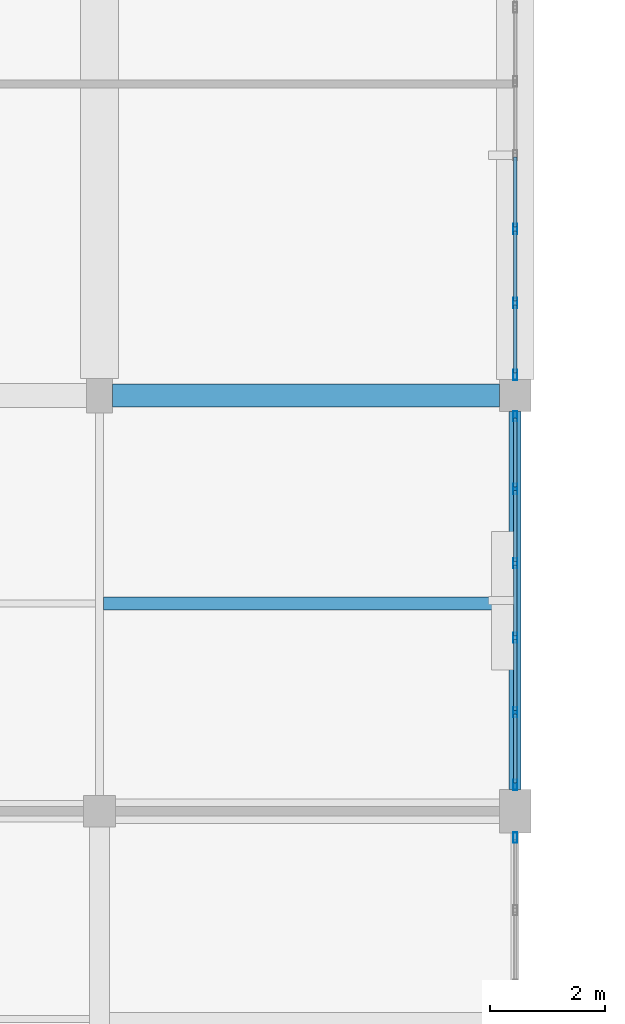
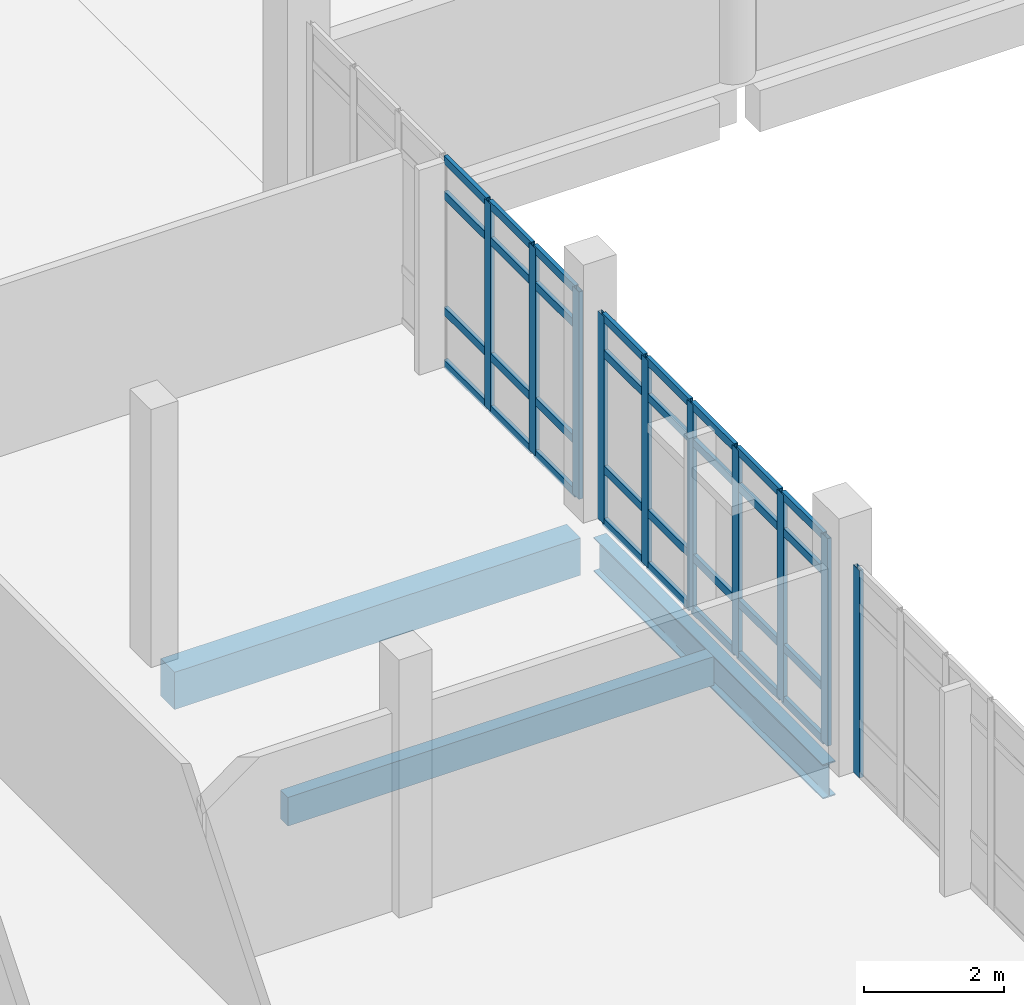
# One storey, part 22 of 57: 42 members, 3 beams, 3 elements without a shape of their own.
"""IFC4 building model written with IfcOpenShell, lengths in metres."""

from ifc_helpers import new_model, si_unit, direction, frame, origin, origin_2d, place, context, subcontext, project, spatial, rectangle, hollow_rectangle, i_section, extrude, material, material_profile, profile_set, type_object, element, aggregate, save


model = new_model("IFC4")

# Units and contexts
model_context = context("Model", 3, precision=1e-05, world=origin(), true_north=direction((0.0, 1.0)))
body_context = subcontext(model_context, "Body", "Model", "MODEL_VIEW")
ifc_project = project(units=[si_unit("LENGTHUNIT", "METRE"), si_unit("AREAUNIT", "SQUARE_METRE"), si_unit("VOLUMEUNIT", "CUBIC_METRE"), si_unit("PLANEANGLEUNIT", "RADIAN"), si_unit("MASSUNIT", "GRAM", prefix="KILO")], contexts=[model_context])

# Site, building, storey
site_placement = place(None, origin())
site = spatial("IfcSite", under=ifc_project, at=site_placement, CompositionType="ELEMENT")
building_placement = place(site_placement, origin())
building = spatial("IfcBuilding", under=site, at=building_placement, Name="Kalluvel Institute of Natural Sciences", CompositionType="ELEMENT")
storey_placement = place(building_placement, frame((0.0, 0.0, 23.39990234375)))
storey = spatial("IfcBuildingStorey", under=building, at=storey_placement, Name="L05", CompositionType="ELEMENT", Elevation=23.39990234375)

# Beams
ifc_material_1 = material(Name="Steel E350 Grade 350", Category="steel")
ifc_material_profile_1 = material_profile(ifc_material_1, i_section(OverallWidth=0.2099609375, OverallDepth=0.60009765625, WebThickness=0.011962890625, FlangeThickness=0.020751953125, FilletRadius=0.02001953125, at=origin_2d()), Name="ISMB 600")
ifc_profile_set_1 = profile_set([ifc_material_profile_1], Name="Steel E350 Grade 350")
beam_type_1 = type_object("IfcBeamType", Name="BM-ISMB600", PredefinedType="BEAM", material=ifc_profile_set_1)
beam_1_placement = place(storey_placement, frame((35.60009765625, 79.175048828125, -0.599853515625), z_axis=(0.0, 1.0, 0.0), x_axis=(-1.0, 0.0, 0.0)))
element("IfcBeam", 1, at=beam_1_placement, inside=storey, type_object=beam_type_1, Name="L05 girder GIR-L05-NS-X356-Y788", PredefinedType="BEAM", context=body_context, shape_type="SweptSolid", body=[
    extrude(i_section(OverallWidth=0.2099609375, OverallDepth=0.60009765625, WebThickness=0.011962890625, FlangeThickness=0.020751953125, FilletRadius=0.02001953125, at=origin_2d()), origin(), (0.0, 0.0, 1.0), 6.550048828125),
])
ifc_material_2 = material(Name="Concrete M40", Category="concrete")
ifc_material_profile_2 = material_profile(ifc_material_2, rectangle(XDim=0.39990234375, YDim=0.64990234375, at=origin_2d()), Name="RCB 400x650")
ifc_profile_set_2 = profile_set([ifc_material_profile_2], Name="Concrete M40")
beam_type_2 = type_object("IfcBeamType", Name="BM-RC400x650", PredefinedType="BEAM", material=ifc_profile_set_2)
beam_2_placement = place(storey_placement, frame((28.625, 86.0, -0.625), z_axis=(1.0, 0.0, 0.0), x_axis=(0.0, 1.0, 0.0)))
element("IfcBeam", 2, at=beam_2_placement, inside=storey, type_object=beam_type_2, Name="L05 girder GIR-L05-EW-X284-Y860", PredefinedType="BEAM", context=body_context, shape_type="SweptSolid", body=[
    extrude(rectangle(XDim=0.39990234375, YDim=0.64990234375, at=origin_2d()), origin(), (0.0, 0.0, 1.0), 6.699951171875),
])

# Curtain wall, member
ifc_material_3 = material(Name="Aluminium AW-6063 T6", Category="aluminium")
curtain_wall_type = type_object("IfcCurtainWallType", Name="CW-DRY-45", PredefinedType="USERDEFINED", material=ifc_material_3)
curtain_wall_1_placement = place(storey_placement, origin())
curtain_wall_1 = element("IfcCurtainWall", 3, at=curtain_wall_1_placement, inside=storey, type_object=curtain_wall_type, Name="L05 Gothic lancet curtain wall CWA-L05-X356-Y719", ObjectType="UNITISED LANCET FACADE", PredefinedType="USERDEFINED")
ifc_material_profile_3 = material_profile(ifc_material_3, hollow_rectangle(XDim=0.06494140625, YDim=0.179931640625, WallThickness=0.00439453125, at=origin_2d()), Name="CWM 65x180")
ifc_profile_set_3 = profile_set([ifc_material_profile_3], Name="Aluminium AW-6063 T6")
member_type_1 = type_object("IfcMemberType", Name="CWM-65x180", PredefinedType="MULLION", material=ifc_profile_set_3)
member_1_placement = place(storey_placement, frame((35.60009765625, 78.342529296875, 0.0), z_axis=(0.0, 0.0, 1.0), x_axis=(-1.0, 0.0, 0.0)))
member_1 = element("IfcMember", 4, at=member_1_placement, type_object=member_type_1, Name="CW-03 mullion 6", PredefinedType="MULLION", context=body_context, shape_type="SweptSolid", body=[
    extrude(hollow_rectangle(XDim=0.06494140625, YDim=0.179931640625, WallThickness=0.00439453125, at=origin_2d()), origin(), (0.0, 0.0, 1.0), 3.6201171875),
])
aggregate(curtain_wall_1, [member_1])

# Curtain wall, members
curtain_wall_2_placement = place(storey_placement, origin())
curtain_wall_2 = element("IfcCurtainWall", 5, at=curtain_wall_2_placement, inside=storey, type_object=curtain_wall_type, Name="L05 Gothic lancet curtain wall CWA-L05-X356-Y792", ObjectType="UNITISED LANCET FACADE", PredefinedType="USERDEFINED")
member_2_placement = place(storey_placement, frame((35.60009765625, 79.257568359375, 0.0), z_axis=(0.0, 0.0, 1.0), x_axis=(-1.0, 0.0, 0.0)))
member_2 = element("IfcMember", 6, at=member_2_placement, type_object=member_type_1, Name="CW-03 mullion 1", PredefinedType="MULLION", context=body_context, shape_type="SweptSolid", body=[
    extrude(hollow_rectangle(XDim=0.06494140625, YDim=0.179931640625, WallThickness=0.00439453125, at=origin_2d()), origin(), (0.0, 0.0, 1.0), 3.6201171875),
])
member_3_placement = place(storey_placement, frame((35.60009765625, 80.514892578125, 0.0), z_axis=(0.0, 0.0, 1.0), x_axis=(-1.0, 0.0, 0.0)))
member_3 = element("IfcMember", 7, at=member_3_placement, type_object=member_type_1, Name="CW-03 mullion 2", PredefinedType="MULLION", context=body_context, shape_type="SweptSolid", body=[
    extrude(hollow_rectangle(XDim=0.06494140625, YDim=0.179931640625, WallThickness=0.00439453125, at=origin_2d()), origin(), (0.0, 0.0, 1.0), 3.6201171875),
])
member_4_placement = place(storey_placement, frame((35.60009765625, 81.804931640625, 0.0), z_axis=(0.0, 0.0, 1.0), x_axis=(-1.0, 0.0, 0.0)))
member_4 = element("IfcMember", 8, at=member_4_placement, type_object=member_type_1, Name="CW-03 mullion 3", PredefinedType="MULLION", context=body_context, shape_type="SweptSolid", body=[
    extrude(hollow_rectangle(XDim=0.06494140625, YDim=0.179931640625, WallThickness=0.00439453125, at=origin_2d()), origin(), (0.0, 0.0, 1.0), 3.6201171875),
])
member_5_placement = place(storey_placement, frame((35.60009765625, 83.094970703125, 0.0), z_axis=(0.0, 0.0, 1.0), x_axis=(-1.0, 0.0, 0.0)))
member_5 = element("IfcMember", 9, at=member_5_placement, type_object=member_type_1, Name="CW-03 mullion 4", PredefinedType="MULLION", context=body_context, shape_type="SweptSolid", body=[
    extrude(hollow_rectangle(XDim=0.06494140625, YDim=0.179931640625, WallThickness=0.00439453125, at=origin_2d()), origin(), (0.0, 0.0, 1.0), 3.6201171875),
])
member_6_placement = place(storey_placement, frame((35.60009765625, 84.385009765625, 0.0), z_axis=(0.0, 0.0, 1.0), x_axis=(-1.0, 0.0, 0.0)))
member_6 = element("IfcMember", 10, at=member_6_placement, type_object=member_type_1, Name="CW-03 mullion 5", PredefinedType="MULLION", context=body_context, shape_type="SweptSolid", body=[
    extrude(hollow_rectangle(XDim=0.06494140625, YDim=0.179931640625, WallThickness=0.00439453125, at=origin_2d()), origin(), (0.0, 0.0, 1.0), 3.6201171875),
])
member_7_placement = place(storey_placement, frame((35.60009765625, 85.642578125, 0.0), z_axis=(0.0, 0.0, 1.0), x_axis=(-1.0, 0.0, 0.0)))
member_7 = element("IfcMember", 11, at=member_7_placement, type_object=member_type_1, Name="CW-03 mullion 6", PredefinedType="MULLION", context=body_context, shape_type="SweptSolid", body=[
    extrude(hollow_rectangle(XDim=0.06494140625, YDim=0.179931640625, WallThickness=0.00439453125, at=origin_2d()), origin(), (0.0, 0.0, 1.0), 3.6201171875),
])

curtain_wall_3_placement = place(storey_placement, origin())
curtain_wall_3 = element("IfcCurtainWall", 12, at=curtain_wall_3_placement, inside=storey, type_object=curtain_wall_type, Name="L05 Gothic lancet curtain wall CWA-L05-X356-Y863", ObjectType="UNITISED LANCET FACADE", PredefinedType="USERDEFINED")
member_8_placement = place(storey_placement, frame((35.60009765625, 86.357421875, 0.0), z_axis=(0.0, 0.0, 1.0), x_axis=(-1.0, 0.0, 0.0)))
member_8 = element("IfcMember", 13, at=member_8_placement, type_object=member_type_1, Name="CW-03 mullion 1", PredefinedType="MULLION", context=body_context, shape_type="SweptSolid", body=[
    extrude(hollow_rectangle(XDim=0.06494140625, YDim=0.179931640625, WallThickness=0.00439453125, at=origin_2d()), origin(), (0.0, 0.0, 1.0), 3.6201171875),
])
member_9_placement = place(storey_placement, frame((35.60009765625, 87.604248046875, 0.0), z_axis=(0.0, 0.0, 1.0), x_axis=(-1.0, 0.0, 0.0)))
member_9 = element("IfcMember", 14, at=member_9_placement, type_object=member_type_1, Name="CW-03 mullion 2", PredefinedType="MULLION", context=body_context, shape_type="SweptSolid", body=[
    extrude(hollow_rectangle(XDim=0.06494140625, YDim=0.179931640625, WallThickness=0.00439453125, at=origin_2d()), origin(), (0.0, 0.0, 1.0), 3.6201171875),
])
member_10_placement = place(storey_placement, frame((35.60009765625, 88.88330078125, 0.0), z_axis=(0.0, 0.0, 1.0), x_axis=(-1.0, 0.0, 0.0)))
member_10 = element("IfcMember", 15, at=member_10_placement, type_object=member_type_1, Name="CW-03 mullion 3", PredefinedType="MULLION", context=body_context, shape_type="SweptSolid", body=[
    extrude(hollow_rectangle(XDim=0.06494140625, YDim=0.179931640625, WallThickness=0.00439453125, at=origin_2d()), origin(), (0.0, 0.0, 1.0), 3.6201171875),
])

# Member
ifc_material_profile_4 = material_profile(ifc_material_3, hollow_rectangle(XDim=0.06494140625, YDim=0.139892578125, WallThickness=0.00439453125, at=origin_2d()), Name="CWT 65x140")
ifc_profile_set_4 = profile_set([ifc_material_profile_4], Name="Aluminium AW-6063 T6")
member_type_2 = type_object("IfcMemberType", Name="CWT-65x140", PredefinedType="USERDEFINED", material=ifc_profile_set_4)
member_11_placement = place(storey_placement, frame((35.60009765625, 79.2900390625, 0.03271484375), z_axis=(0.0, 1.0, 0.0), x_axis=(-1.0, 0.0, 0.0)))
member_11 = element("IfcMember", 16, at=member_11_placement, type_object=member_type_2, Name="CW-03 transom 1.1", ObjectType="TRANSOM", PredefinedType="USERDEFINED", context=body_context, shape_type="SweptSolid", body=[
    extrude(hollow_rectangle(XDim=0.06494140625, YDim=0.139892578125, WallThickness=0.00439453125, at=origin_2d()), origin(), (0.0, 0.0, 1.0), 1.1923828125),
])

member_12_placement = place(storey_placement, frame((35.60009765625, 79.2900390625, 0.9501953125), z_axis=(0.0, 1.0, 0.0), x_axis=(-1.0, 0.0, 0.0)))
member_12 = element("IfcMember", 17, at=member_12_placement, type_object=member_type_2, Name="CW-03 transom 1.2", ObjectType="TRANSOM", PredefinedType="USERDEFINED", context=body_context, shape_type="SweptSolid", body=[
    extrude(hollow_rectangle(XDim=0.06494140625, YDim=0.139892578125, WallThickness=0.00439453125, at=origin_2d()), origin(), (0.0, 0.0, 1.0), 1.1923828125),
])

member_13_placement = place(storey_placement, frame((35.60009765625, 79.2900390625, 2.97021484375), z_axis=(0.0, 1.0, 0.0), x_axis=(-1.0, 0.0, 0.0)))
member_13 = element("IfcMember", 18, at=member_13_placement, type_object=member_type_2, Name="CW-03 transom 1.3", ObjectType="TRANSOM", PredefinedType="USERDEFINED", context=body_context, shape_type="SweptSolid", body=[
    extrude(hollow_rectangle(XDim=0.06494140625, YDim=0.139892578125, WallThickness=0.00439453125, at=origin_2d()), origin(), (0.0, 0.0, 1.0), 1.1923828125),
])

member_14_placement = place(storey_placement, frame((35.60009765625, 79.2900390625, 3.587646484375), z_axis=(0.0, 1.0, 0.0), x_axis=(-1.0, 0.0, 0.0)))
member_14 = element("IfcMember", 19, at=member_14_placement, type_object=member_type_2, Name="CW-03 transom 1.4", ObjectType="TRANSOM", PredefinedType="USERDEFINED", context=body_context, shape_type="SweptSolid", body=[
    extrude(hollow_rectangle(XDim=0.06494140625, YDim=0.139892578125, WallThickness=0.00439453125, at=origin_2d()), origin(), (0.0, 0.0, 1.0), 1.1923828125),
])

member_15_placement = place(storey_placement, frame((35.60009765625, 80.547607421875, 0.03271484375), z_axis=(0.0, 1.0, 0.0), x_axis=(-1.0, 0.0, 0.0)))
member_15 = element("IfcMember", 20, at=member_15_placement, type_object=member_type_2, Name="CW-03 transom 2.1", ObjectType="TRANSOM", PredefinedType="USERDEFINED", context=body_context, shape_type="SweptSolid", body=[
    extrude(hollow_rectangle(XDim=0.06494140625, YDim=0.139892578125, WallThickness=0.00439453125, at=origin_2d()), origin(), (0.0, 0.0, 1.0), 1.224853515625),
])

member_16_placement = place(storey_placement, frame((35.60009765625, 80.547607421875, 0.9501953125), z_axis=(0.0, 1.0, 0.0), x_axis=(-1.0, 0.0, 0.0)))
member_16 = element("IfcMember", 21, at=member_16_placement, type_object=member_type_2, Name="CW-03 transom 2.2", ObjectType="TRANSOM", PredefinedType="USERDEFINED", context=body_context, shape_type="SweptSolid", body=[
    extrude(hollow_rectangle(XDim=0.06494140625, YDim=0.139892578125, WallThickness=0.00439453125, at=origin_2d()), origin(), (0.0, 0.0, 1.0), 1.224853515625),
])

member_17_placement = place(storey_placement, frame((35.60009765625, 80.547607421875, 2.97021484375), z_axis=(0.0, 1.0, 0.0), x_axis=(-1.0, 0.0, 0.0)))
member_17 = element("IfcMember", 22, at=member_17_placement, type_object=member_type_2, Name="CW-03 transom 2.3", ObjectType="TRANSOM", PredefinedType="USERDEFINED", context=body_context, shape_type="SweptSolid", body=[
    extrude(hollow_rectangle(XDim=0.06494140625, YDim=0.139892578125, WallThickness=0.00439453125, at=origin_2d()), origin(), (0.0, 0.0, 1.0), 1.224853515625),
])

member_18_placement = place(storey_placement, frame((35.60009765625, 80.547607421875, 3.587646484375), z_axis=(0.0, 1.0, 0.0), x_axis=(-1.0, 0.0, 0.0)))
member_18 = element("IfcMember", 23, at=member_18_placement, type_object=member_type_2, Name="CW-03 transom 2.4", ObjectType="TRANSOM", PredefinedType="USERDEFINED", context=body_context, shape_type="SweptSolid", body=[
    extrude(hollow_rectangle(XDim=0.06494140625, YDim=0.139892578125, WallThickness=0.00439453125, at=origin_2d()), origin(), (0.0, 0.0, 1.0), 1.224853515625),
])

member_19_placement = place(storey_placement, frame((35.60009765625, 81.83740234375, 0.03271484375), z_axis=(0.0, 1.0, 0.0), x_axis=(-1.0, 0.0, 0.0)))
member_19 = element("IfcMember", 24, at=member_19_placement, type_object=member_type_2, Name="CW-03 transom 3.1", ObjectType="TRANSOM", PredefinedType="USERDEFINED", context=body_context, shape_type="SweptSolid", body=[
    extrude(hollow_rectangle(XDim=0.06494140625, YDim=0.139892578125, WallThickness=0.00439453125, at=origin_2d()), origin(), (0.0, 0.0, 1.0), 1.22509765625),
])

member_20_placement = place(storey_placement, frame((35.60009765625, 81.83740234375, 0.9501953125), z_axis=(0.0, 1.0, 0.0), x_axis=(-1.0, 0.0, 0.0)))
member_20 = element("IfcMember", 25, at=member_20_placement, type_object=member_type_2, Name="CW-03 transom 3.2", ObjectType="TRANSOM", PredefinedType="USERDEFINED", context=body_context, shape_type="SweptSolid", body=[
    extrude(hollow_rectangle(XDim=0.06494140625, YDim=0.139892578125, WallThickness=0.00439453125, at=origin_2d()), origin(), (0.0, 0.0, 1.0), 1.22509765625),
])

member_21_placement = place(storey_placement, frame((35.60009765625, 81.83740234375, 2.97021484375), z_axis=(0.0, 1.0, 0.0), x_axis=(-1.0, 0.0, 0.0)))
member_21 = element("IfcMember", 26, at=member_21_placement, type_object=member_type_2, Name="CW-03 transom 3.3", ObjectType="TRANSOM", PredefinedType="USERDEFINED", context=body_context, shape_type="SweptSolid", body=[
    extrude(hollow_rectangle(XDim=0.06494140625, YDim=0.139892578125, WallThickness=0.00439453125, at=origin_2d()), origin(), (0.0, 0.0, 1.0), 1.22509765625),
])

member_22_placement = place(storey_placement, frame((35.60009765625, 81.83740234375, 3.587646484375), z_axis=(0.0, 1.0, 0.0), x_axis=(-1.0, 0.0, 0.0)))
member_22 = element("IfcMember", 27, at=member_22_placement, type_object=member_type_2, Name="CW-03 transom 3.4", ObjectType="TRANSOM", PredefinedType="USERDEFINED", context=body_context, shape_type="SweptSolid", body=[
    extrude(hollow_rectangle(XDim=0.06494140625, YDim=0.139892578125, WallThickness=0.00439453125, at=origin_2d()), origin(), (0.0, 0.0, 1.0), 1.22509765625),
])

member_23_placement = place(storey_placement, frame((35.60009765625, 83.12744140625, 0.03271484375), z_axis=(0.0, 1.0, 0.0), x_axis=(-1.0, 0.0, 0.0)))
member_23 = element("IfcMember", 28, at=member_23_placement, type_object=member_type_2, Name="CW-03 transom 4.1", ObjectType="TRANSOM", PredefinedType="USERDEFINED", context=body_context, shape_type="SweptSolid", body=[
    extrude(hollow_rectangle(XDim=0.06494140625, YDim=0.139892578125, WallThickness=0.00439453125, at=origin_2d()), origin(), (0.0, 0.0, 1.0), 1.22509765625),
])

member_24_placement = place(storey_placement, frame((35.60009765625, 83.12744140625, 0.9501953125), z_axis=(0.0, 1.0, 0.0), x_axis=(-1.0, 0.0, 0.0)))
member_24 = element("IfcMember", 29, at=member_24_placement, type_object=member_type_2, Name="CW-03 transom 4.2", ObjectType="TRANSOM", PredefinedType="USERDEFINED", context=body_context, shape_type="SweptSolid", body=[
    extrude(hollow_rectangle(XDim=0.06494140625, YDim=0.139892578125, WallThickness=0.00439453125, at=origin_2d()), origin(), (0.0, 0.0, 1.0), 1.22509765625),
])

member_25_placement = place(storey_placement, frame((35.60009765625, 83.12744140625, 2.97021484375), z_axis=(0.0, 1.0, 0.0), x_axis=(-1.0, 0.0, 0.0)))
member_25 = element("IfcMember", 30, at=member_25_placement, type_object=member_type_2, Name="CW-03 transom 4.3", ObjectType="TRANSOM", PredefinedType="USERDEFINED", context=body_context, shape_type="SweptSolid", body=[
    extrude(hollow_rectangle(XDim=0.06494140625, YDim=0.139892578125, WallThickness=0.00439453125, at=origin_2d()), origin(), (0.0, 0.0, 1.0), 1.22509765625),
])

member_26_placement = place(storey_placement, frame((35.60009765625, 83.12744140625, 3.587646484375), z_axis=(0.0, 1.0, 0.0), x_axis=(-1.0, 0.0, 0.0)))
member_26 = element("IfcMember", 31, at=member_26_placement, type_object=member_type_2, Name="CW-03 transom 4.4", ObjectType="TRANSOM", PredefinedType="USERDEFINED", context=body_context, shape_type="SweptSolid", body=[
    extrude(hollow_rectangle(XDim=0.06494140625, YDim=0.139892578125, WallThickness=0.00439453125, at=origin_2d()), origin(), (0.0, 0.0, 1.0), 1.22509765625),
])

member_27_placement = place(storey_placement, frame((35.60009765625, 84.41748046875, 0.03271484375), z_axis=(0.0, 1.0, 0.0), x_axis=(-1.0, 0.0, 0.0)))
member_27 = element("IfcMember", 32, at=member_27_placement, type_object=member_type_2, Name="CW-03 transom 5.1", ObjectType="TRANSOM", PredefinedType="USERDEFINED", context=body_context, shape_type="SweptSolid", body=[
    extrude(hollow_rectangle(XDim=0.06494140625, YDim=0.139892578125, WallThickness=0.00439453125, at=origin_2d()), origin(), (0.0, 0.0, 1.0), 1.192626953125),
])

member_28_placement = place(storey_placement, frame((35.60009765625, 84.41748046875, 0.9501953125), z_axis=(0.0, 1.0, 0.0), x_axis=(-1.0, 0.0, 0.0)))
member_28 = element("IfcMember", 33, at=member_28_placement, type_object=member_type_2, Name="CW-03 transom 5.2", ObjectType="TRANSOM", PredefinedType="USERDEFINED", context=body_context, shape_type="SweptSolid", body=[
    extrude(hollow_rectangle(XDim=0.06494140625, YDim=0.139892578125, WallThickness=0.00439453125, at=origin_2d()), origin(), (0.0, 0.0, 1.0), 1.192626953125),
])

member_29_placement = place(storey_placement, frame((35.60009765625, 84.41748046875, 2.97021484375), z_axis=(0.0, 1.0, 0.0), x_axis=(-1.0, 0.0, 0.0)))
member_29 = element("IfcMember", 34, at=member_29_placement, type_object=member_type_2, Name="CW-03 transom 5.3", ObjectType="TRANSOM", PredefinedType="USERDEFINED", context=body_context, shape_type="SweptSolid", body=[
    extrude(hollow_rectangle(XDim=0.06494140625, YDim=0.139892578125, WallThickness=0.00439453125, at=origin_2d()), origin(), (0.0, 0.0, 1.0), 1.192626953125),
])

member_30_placement = place(storey_placement, frame((35.60009765625, 84.41748046875, 3.587646484375), z_axis=(0.0, 1.0, 0.0), x_axis=(-1.0, 0.0, 0.0)))
member_30 = element("IfcMember", 35, at=member_30_placement, type_object=member_type_2, Name="CW-03 transom 5.4", ObjectType="TRANSOM", PredefinedType="USERDEFINED", context=body_context, shape_type="SweptSolid", body=[
    extrude(hollow_rectangle(XDim=0.06494140625, YDim=0.139892578125, WallThickness=0.00439453125, at=origin_2d()), origin(), (0.0, 0.0, 1.0), 1.192626953125),
])

aggregate(curtain_wall_2, [member_2, member_3, member_4, member_5, member_6, member_7, member_11, member_12, member_13, member_14, member_15, member_16, member_17, member_18, member_19, member_20, member_21, member_22, member_23, member_24, member_25, member_26, member_27, member_28, member_29, member_30])

member_31_placement = place(storey_placement, frame((35.60009765625, 86.389892578125, 0.03271484375), z_axis=(0.0, 1.0, 0.0), x_axis=(-1.0, 0.0, 0.0)))
member_31 = element("IfcMember", 36, at=member_31_placement, type_object=member_type_2, Name="CW-03 transom 1.1", ObjectType="TRANSOM", PredefinedType="USERDEFINED", context=body_context, shape_type="SweptSolid", body=[
    extrude(hollow_rectangle(XDim=0.06494140625, YDim=0.139892578125, WallThickness=0.00439453125, at=origin_2d()), origin(), (0.0, 0.0, 1.0), 1.181884765625),
])

member_32_placement = place(storey_placement, frame((35.60009765625, 86.389892578125, 0.9501953125), z_axis=(0.0, 1.0, 0.0), x_axis=(-1.0, 0.0, 0.0)))
member_32 = element("IfcMember", 37, at=member_32_placement, type_object=member_type_2, Name="CW-03 transom 1.2", ObjectType="TRANSOM", PredefinedType="USERDEFINED", context=body_context, shape_type="SweptSolid", body=[
    extrude(hollow_rectangle(XDim=0.06494140625, YDim=0.139892578125, WallThickness=0.00439453125, at=origin_2d()), origin(), (0.0, 0.0, 1.0), 1.181884765625),
])

member_33_placement = place(storey_placement, frame((35.60009765625, 86.389892578125, 2.97021484375), z_axis=(0.0, 1.0, 0.0), x_axis=(-1.0, 0.0, 0.0)))
member_33 = element("IfcMember", 38, at=member_33_placement, type_object=member_type_2, Name="CW-03 transom 1.3", ObjectType="TRANSOM", PredefinedType="USERDEFINED", context=body_context, shape_type="SweptSolid", body=[
    extrude(hollow_rectangle(XDim=0.06494140625, YDim=0.139892578125, WallThickness=0.00439453125, at=origin_2d()), origin(), (0.0, 0.0, 1.0), 1.181884765625),
])

member_34_placement = place(storey_placement, frame((35.60009765625, 86.389892578125, 3.587646484375), z_axis=(0.0, 1.0, 0.0), x_axis=(-1.0, 0.0, 0.0)))
member_34 = element("IfcMember", 39, at=member_34_placement, type_object=member_type_2, Name="CW-03 transom 1.4", ObjectType="TRANSOM", PredefinedType="USERDEFINED", context=body_context, shape_type="SweptSolid", body=[
    extrude(hollow_rectangle(XDim=0.06494140625, YDim=0.139892578125, WallThickness=0.00439453125, at=origin_2d()), origin(), (0.0, 0.0, 1.0), 1.181884765625),
])

member_35_placement = place(storey_placement, frame((35.60009765625, 87.63671875, 0.03271484375), z_axis=(0.0, 1.0, 0.0), x_axis=(-1.0, 0.0, 0.0)))
member_35 = element("IfcMember", 40, at=member_35_placement, type_object=member_type_2, Name="CW-03 transom 2.1", ObjectType="TRANSOM", PredefinedType="USERDEFINED", context=body_context, shape_type="SweptSolid", body=[
    extrude(hollow_rectangle(XDim=0.06494140625, YDim=0.139892578125, WallThickness=0.00439453125, at=origin_2d()), origin(), (0.0, 0.0, 1.0), 1.214111328125),
])

member_36_placement = place(storey_placement, frame((35.60009765625, 87.63671875, 0.9501953125), z_axis=(0.0, 1.0, 0.0), x_axis=(-1.0, 0.0, 0.0)))
member_36 = element("IfcMember", 41, at=member_36_placement, type_object=member_type_2, Name="CW-03 transom 2.2", ObjectType="TRANSOM", PredefinedType="USERDEFINED", context=body_context, shape_type="SweptSolid", body=[
    extrude(hollow_rectangle(XDim=0.06494140625, YDim=0.139892578125, WallThickness=0.00439453125, at=origin_2d()), origin(), (0.0, 0.0, 1.0), 1.214111328125),
])

member_37_placement = place(storey_placement, frame((35.60009765625, 87.63671875, 2.97021484375), z_axis=(0.0, 1.0, 0.0), x_axis=(-1.0, 0.0, 0.0)))
member_37 = element("IfcMember", 42, at=member_37_placement, type_object=member_type_2, Name="CW-03 transom 2.3", ObjectType="TRANSOM", PredefinedType="USERDEFINED", context=body_context, shape_type="SweptSolid", body=[
    extrude(hollow_rectangle(XDim=0.06494140625, YDim=0.139892578125, WallThickness=0.00439453125, at=origin_2d()), origin(), (0.0, 0.0, 1.0), 1.214111328125),
])

member_38_placement = place(storey_placement, frame((35.60009765625, 87.63671875, 3.587646484375), z_axis=(0.0, 1.0, 0.0), x_axis=(-1.0, 0.0, 0.0)))
member_38 = element("IfcMember", 43, at=member_38_placement, type_object=member_type_2, Name="CW-03 transom 2.4", ObjectType="TRANSOM", PredefinedType="USERDEFINED", context=body_context, shape_type="SweptSolid", body=[
    extrude(hollow_rectangle(XDim=0.06494140625, YDim=0.139892578125, WallThickness=0.00439453125, at=origin_2d()), origin(), (0.0, 0.0, 1.0), 1.214111328125),
])

member_39_placement = place(storey_placement, frame((35.60009765625, 88.915771484375, 0.03271484375), z_axis=(0.0, 1.0, 0.0), x_axis=(-1.0, 0.0, 0.0)))
member_39 = element("IfcMember", 44, at=member_39_placement, type_object=member_type_2, Name="CW-03 transom 3.1", ObjectType="TRANSOM", PredefinedType="USERDEFINED", context=body_context, shape_type="SweptSolid", body=[
    extrude(hollow_rectangle(XDim=0.06494140625, YDim=0.139892578125, WallThickness=0.00439453125, at=origin_2d()), origin(), (0.0, 0.0, 1.0), 1.214111328125),
])

member_40_placement = place(storey_placement, frame((35.60009765625, 88.915771484375, 0.9501953125), z_axis=(0.0, 1.0, 0.0), x_axis=(-1.0, 0.0, 0.0)))
member_40 = element("IfcMember", 45, at=member_40_placement, type_object=member_type_2, Name="CW-03 transom 3.2", ObjectType="TRANSOM", PredefinedType="USERDEFINED", context=body_context, shape_type="SweptSolid", body=[
    extrude(hollow_rectangle(XDim=0.06494140625, YDim=0.139892578125, WallThickness=0.00439453125, at=origin_2d()), origin(), (0.0, 0.0, 1.0), 1.214111328125),
])

member_41_placement = place(storey_placement, frame((35.60009765625, 88.915771484375, 2.97021484375), z_axis=(0.0, 1.0, 0.0), x_axis=(-1.0, 0.0, 0.0)))
member_41 = element("IfcMember", 46, at=member_41_placement, type_object=member_type_2, Name="CW-03 transom 3.3", ObjectType="TRANSOM", PredefinedType="USERDEFINED", context=body_context, shape_type="SweptSolid", body=[
    extrude(hollow_rectangle(XDim=0.06494140625, YDim=0.139892578125, WallThickness=0.00439453125, at=origin_2d()), origin(), (0.0, 0.0, 1.0), 1.214111328125),
])

member_42_placement = place(storey_placement, frame((35.60009765625, 88.915771484375, 3.587646484375), z_axis=(0.0, 1.0, 0.0), x_axis=(-1.0, 0.0, 0.0)))
member_42 = element("IfcMember", 47, at=member_42_placement, type_object=member_type_2, Name="CW-03 transom 3.4", ObjectType="TRANSOM", PredefinedType="USERDEFINED", context=body_context, shape_type="SweptSolid", body=[
    extrude(hollow_rectangle(XDim=0.06494140625, YDim=0.139892578125, WallThickness=0.00439453125, at=origin_2d()), origin(), (0.0, 0.0, 1.0), 1.214111328125),
])

aggregate(curtain_wall_3, [member_8, member_9, member_10, member_31, member_32, member_33, member_34, member_35, member_36, member_37, member_38, member_39, member_40, member_41, member_42])

# Beam
ifc_material_profile_5 = material_profile(ifc_material_2, rectangle(XDim=0.219970703125, YDim=0.5, at=origin_2d()), Name="WAF 220x500")
ifc_profile_set_5 = profile_set([ifc_material_profile_5], Name="Concrete M40")
beam_type_3 = type_object("IfcBeamType", Name="WJ-220x500", PredefinedType="JOIST", material=ifc_profile_set_5)
beam_3_placement = place(storey_placement, frame((28.469970703125, 82.39990234375, -0.5498046875), z_axis=(1.0, 0.0, 0.0), x_axis=(0.0, 1.0, 0.0)))
element("IfcBeam", 48, at=beam_3_placement, inside=storey, type_object=beam_type_3, Name="L05 floor rib RIB-L05-0754", PredefinedType="JOIST", context=body_context, shape_type="SweptSolid", body=[
    extrude(rectangle(XDim=0.219970703125, YDim=0.5, at=origin_2d()), origin(), (0.0, 0.0, 1.0), 7.025146484375),
])

save(model, "model.ifc")
